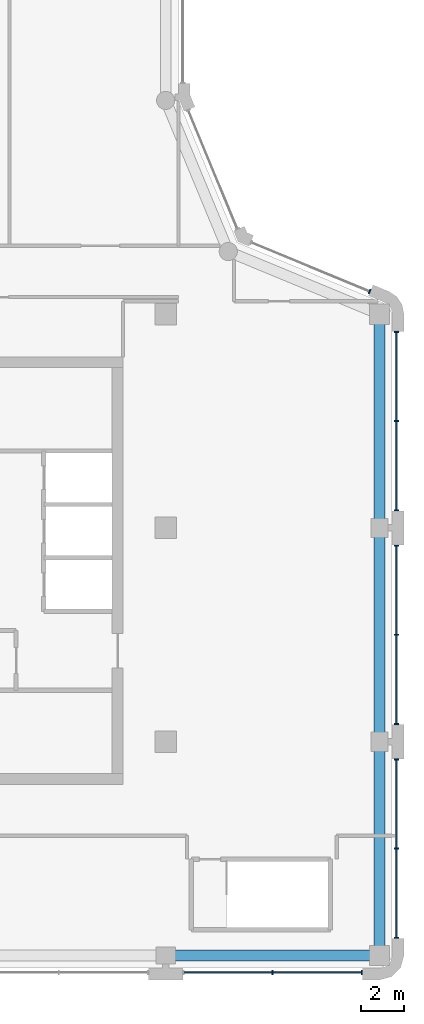
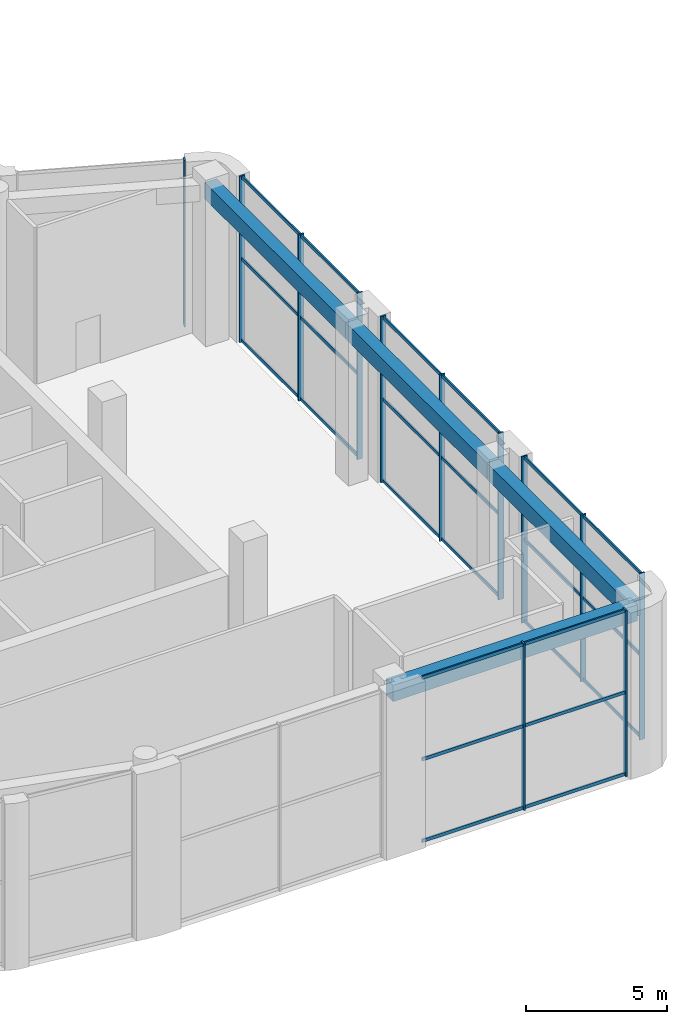
# One storey, part 4 of 14: 36 members, 4 beams, 5 elements without a shape of their own.
"""IFC4 building model written with IfcOpenShell, lengths in metres."""

from ifc_helpers import new_model, si_unit, direction, frame, origin, origin_2d, place, context, subcontext, project, spatial, rectangle, extrude, material, layer, layer_set, material_profile, profile_set, type_object, element, aggregate, save


model = new_model("IFC4")

# Units and contexts
model_context = context("Model", 3, precision=1e-05, world=origin(), true_north=direction((0.0, 1.0)))
body_context = subcontext(model_context, "Body", "Model", "MODEL_VIEW")
ifc_project = project(units=[si_unit("LENGTHUNIT", "METRE"), si_unit("AREAUNIT", "SQUARE_METRE"), si_unit("VOLUMEUNIT", "CUBIC_METRE"), si_unit("PLANEANGLEUNIT", "RADIAN"), si_unit("MASSUNIT", "GRAM", prefix="KILO")], contexts=[model_context])

# Site, building, storey
site_placement = place(None, origin())
site = spatial("IfcSite", under=ifc_project, at=site_placement, CompositionType="ELEMENT")
building_placement = place(site_placement, origin())
building = spatial("IfcBuilding", under=site, at=building_placement, Name="Qaws Garden Tower", CompositionType="ELEMENT")
storey_placement = place(building_placement, frame((0.0, 0.0, 358.199951171875)))
storey = spatial("IfcBuildingStorey", under=building, at=storey_placement, Name="L87", CompositionType="ELEMENT", Elevation=358.199951171875)

# Curtain wall, members
ifc_material_1 = material(Name="Anodised aluminium curtain wall frame", Category="aluminium")
ifc_layer = layer(ifc_material_1, 0.159912109375)
ifc_layer_set = layer_set([ifc_layer], Name="Anodised aluminium curtain wall frame")
curtain_wall_type = type_object("IfcCurtainWallType", Name="CW3 observation glazing curtain wall", PredefinedType="NOTDEFINED", material=ifc_layer_set)
placement = place(storey_placement, origin())
curtain_wall_1 = element("IfcCurtainWall", 1, at=placement, inside=storey, type_object=curtain_wall_type, Name="CW3 Observation glazing 01", PredefinedType="NOTDEFINED")
ifc_material_2 = material(Name="Anodised aluminium curtain wall frame", Category="aluminium")
ifc_material_profile_1 = material_profile(ifc_material_2, rectangle(XDim=0.219970703125, YDim=0.06005859375, at=origin_2d()), Name="AL 60x220")
ifc_profile_set_1 = profile_set([ifc_material_profile_1], Name="Anodised aluminium curtain wall frame")
member_type_1 = type_object("IfcMemberType", Name="CW3 mullion 60 x 220", PredefinedType="MULLION", material=ifc_profile_set_1)
member_1_placement = place(storey_placement, frame((35.0, -0.800048828125, 0.0), z_axis=(0.0, 0.0, 1.0), x_axis=(0.0, 1.0, 0.0)))
member_1 = element("IfcMember", 2, at=member_1_placement, type_object=member_type_1, Name="CW3 mullion 2", PredefinedType="MULLION", context=body_context, shape_type="SweptSolid", body=[
    extrude(rectangle(XDim=0.219970703125, YDim=0.06005859375, at=origin_2d()), origin(), (0.0, 0.0, 1.0), 7.199951171875),
])
member_2_placement = place(storey_placement, frame((39.169921875, -0.800048828125, 0.0), z_axis=(0.0, 0.0, 1.0), x_axis=(0.0, 1.0, 0.0)))
member_2 = element("IfcMember", 3, at=member_2_placement, type_object=member_type_1, Name="CW3 mullion 3", PredefinedType="MULLION", context=body_context, shape_type="SweptSolid", body=[
    extrude(rectangle(XDim=0.219970703125, YDim=0.06005859375, at=origin_2d()), origin(), (0.0, 0.0, 1.0), 7.199951171875),
])

curtain_wall_2 = element("IfcCurtainWall", 4, at=placement, inside=storey, type_object=curtain_wall_type, Name="CW3 Observation glazing 02", PredefinedType="NOTDEFINED")
member_3_placement = place(storey_placement, frame((40.800048828125, 0.830078125, 0.0), z_axis=(0.0, 0.0, 1.0), x_axis=(-1.0, 0.0, 0.0)))
member_3 = element("IfcMember", 5, at=member_3_placement, type_object=member_type_1, Name="CW3 mullion 1", PredefinedType="MULLION", context=body_context, shape_type="SweptSolid", body=[
    extrude(rectangle(XDim=0.219970703125, YDim=0.06005859375, at=origin_2d()), origin(), (0.0, 0.0, 1.0), 7.199951171875),
])
member_4_placement = place(storey_placement, frame((40.800048828125, 5.0, 0.0), z_axis=(0.0, 0.0, 1.0), x_axis=(-1.0, 0.0, 0.0)))
member_4 = element("IfcMember", 6, at=member_4_placement, type_object=member_type_1, Name="CW3 mullion 2", PredefinedType="MULLION", context=body_context, shape_type="SweptSolid", body=[
    extrude(rectangle(XDim=0.219970703125, YDim=0.06005859375, at=origin_2d()), origin(), (0.0, 0.0, 1.0), 7.199951171875),
])
member_5_placement = place(storey_placement, frame((40.800048828125, 9.169921875, 0.0), z_axis=(0.0, 0.0, 1.0), x_axis=(-1.0, 0.0, 0.0)))
member_5 = element("IfcMember", 7, at=member_5_placement, type_object=member_type_1, Name="CW3 mullion 3", PredefinedType="MULLION", context=body_context, shape_type="SweptSolid", body=[
    extrude(rectangle(XDim=0.219970703125, YDim=0.06005859375, at=origin_2d()), origin(), (0.0, 0.0, 1.0), 7.199951171875),
])

curtain_wall_3 = element("IfcCurtainWall", 8, at=placement, inside=storey, type_object=curtain_wall_type, Name="CW3 Observation glazing 03", PredefinedType="NOTDEFINED")
member_6_placement = place(storey_placement, frame((40.800048828125, 10.830078125, 0.0), z_axis=(0.0, 0.0, 1.0), x_axis=(-1.0, 0.0, 0.0)))
member_6 = element("IfcMember", 9, at=member_6_placement, type_object=member_type_1, Name="CW3 mullion 1", PredefinedType="MULLION", context=body_context, shape_type="SweptSolid", body=[
    extrude(rectangle(XDim=0.219970703125, YDim=0.06005859375, at=origin_2d()), origin(), (0.0, 0.0, 1.0), 7.199951171875),
])
member_7_placement = place(storey_placement, frame((40.800048828125, 15.0, 0.0), z_axis=(0.0, 0.0, 1.0), x_axis=(-1.0, 0.0, 0.0)))
member_7 = element("IfcMember", 10, at=member_7_placement, type_object=member_type_1, Name="CW3 mullion 2", PredefinedType="MULLION", context=body_context, shape_type="SweptSolid", body=[
    extrude(rectangle(XDim=0.219970703125, YDim=0.06005859375, at=origin_2d()), origin(), (0.0, 0.0, 1.0), 7.199951171875),
])
member_8_placement = place(storey_placement, frame((40.800048828125, 19.169921875, 0.0), z_axis=(0.0, 0.0, 1.0), x_axis=(-1.0, 0.0, 0.0)))
member_8 = element("IfcMember", 11, at=member_8_placement, type_object=member_type_1, Name="CW3 mullion 3", PredefinedType="MULLION", context=body_context, shape_type="SweptSolid", body=[
    extrude(rectangle(XDim=0.219970703125, YDim=0.06005859375, at=origin_2d()), origin(), (0.0, 0.0, 1.0), 7.199951171875),
])

curtain_wall_4 = element("IfcCurtainWall", 12, at=placement, inside=storey, type_object=curtain_wall_type, Name="CW3 Observation glazing 04", PredefinedType="NOTDEFINED")
member_9_placement = place(storey_placement, frame((40.800048828125, 20.830078125, 0.0), z_axis=(0.0, 0.0, 1.0), x_axis=(-1.0, 0.0, 0.0)))
member_9 = element("IfcMember", 13, at=member_9_placement, type_object=member_type_1, Name="CW3 mullion 1", PredefinedType="MULLION", context=body_context, shape_type="SweptSolid", body=[
    extrude(rectangle(XDim=0.219970703125, YDim=0.06005859375, at=origin_2d()), origin(), (0.0, 0.0, 1.0), 7.199951171875),
])
member_10_placement = place(storey_placement, frame((40.800048828125, 25.0, 0.0), z_axis=(0.0, 0.0, 1.0), x_axis=(-1.0, 0.0, 0.0)))
member_10 = element("IfcMember", 14, at=member_10_placement, type_object=member_type_1, Name="CW3 mullion 2", PredefinedType="MULLION", context=body_context, shape_type="SweptSolid", body=[
    extrude(rectangle(XDim=0.219970703125, YDim=0.06005859375, at=origin_2d()), origin(), (0.0, 0.0, 1.0), 7.199951171875),
])
member_11_placement = place(storey_placement, frame((40.800048828125, 29.169921875, 0.0), z_axis=(0.0, 0.0, 1.0), x_axis=(-1.0, 0.0, 0.0)))
member_11 = element("IfcMember", 15, at=member_11_placement, type_object=member_type_1, Name="CW3 mullion 3", PredefinedType="MULLION", context=body_context, shape_type="SweptSolid", body=[
    extrude(rectangle(XDim=0.219970703125, YDim=0.06005859375, at=origin_2d()), origin(), (0.0, 0.0, 1.0), 7.199951171875),
])

# Curtain wall, member
curtain_wall_5 = element("IfcCurtainWall", 16, at=placement, inside=storey, type_object=curtain_wall_type, Name="CW3 Observation glazing 05", PredefinedType="NOTDEFINED")
member_12_placement = place(storey_placement, frame((39.539306640625, 31.056640625, 0.0), z_axis=(0.0, 0.0, 1.0), x_axis=(-0.382683432301, -0.923879532538, 0.0)))
member_12 = element("IfcMember", 17, at=member_12_placement, type_object=member_type_1, Name="CW3 mullion 1", PredefinedType="MULLION", context=body_context, shape_type="SweptSolid", body=[
    extrude(rectangle(XDim=0.219970703125, YDim=0.06005859375, at=origin_2d()), origin(), (0.0, 0.0, 1.0), 7.199951171875),
])
aggregate(curtain_wall_5, [member_12])

# Member
ifc_material_3 = material(Name="Anodised aluminium curtain wall frame", Category="aluminium")
ifc_material_profile_2 = material_profile(ifc_material_3, rectangle(XDim=0.06005859375, YDim=0.139892578125, at=origin_2d()), Name="AL 60x140")
ifc_profile_set_2 = profile_set([ifc_material_profile_2], Name="Anodised aluminium curtain wall frame")
member_type_2 = type_object("IfcMemberType", Name="CW3 transom 140 x 60", PredefinedType="USERDEFINED", material=ifc_profile_set_2)
member_13_placement = place(storey_placement, frame((30.860107421875, -0.800048828125, 0.070068359375), z_axis=(1.0, 0.0, 0.0), x_axis=(0.0, 1.0, 0.0)))
member_13 = element("IfcMember", 18, at=member_13_placement, type_object=member_type_2, Name="CW3 transom 1.1", ObjectType="TRANSOM", PredefinedType="USERDEFINED", context=body_context, shape_type="SweptSolid", body=[
    extrude(rectangle(XDim=0.06005859375, YDim=0.139892578125, at=origin_2d()), origin(), (0.0, 0.0, 1.0), 4.10986328125),
])

member_14_placement = place(storey_placement, frame((30.860107421875, -0.800048828125, 3.60009765625), z_axis=(1.0, 0.0, 0.0), x_axis=(0.0, 1.0, 0.0)))
member_14 = element("IfcMember", 19, at=member_14_placement, type_object=member_type_2, Name="CW3 transom 1.2", ObjectType="TRANSOM", PredefinedType="USERDEFINED", context=body_context, shape_type="SweptSolid", body=[
    extrude(rectangle(XDim=0.06005859375, YDim=0.139892578125, at=origin_2d()), origin(), (0.0, 0.0, 1.0), 4.10986328125),
])

member_15_placement = place(storey_placement, frame((30.860107421875, -0.800048828125, 7.130126953125), z_axis=(1.0, 0.0, 0.0), x_axis=(0.0, 1.0, 0.0)))
member_15 = element("IfcMember", 20, at=member_15_placement, type_object=member_type_2, Name="CW3 transom 1.3", ObjectType="TRANSOM", PredefinedType="USERDEFINED", context=body_context, shape_type="SweptSolid", body=[
    extrude(rectangle(XDim=0.06005859375, YDim=0.139892578125, at=origin_2d()), origin(), (0.0, 0.0, 1.0), 4.10986328125),
])

member_16_placement = place(storey_placement, frame((35.030029296875, -0.800048828125, 0.070068359375), z_axis=(1.0, 0.0, 0.0), x_axis=(0.0, 1.0, 0.0)))
member_16 = element("IfcMember", 21, at=member_16_placement, type_object=member_type_2, Name="CW3 transom 2.1", ObjectType="TRANSOM", PredefinedType="USERDEFINED", context=body_context, shape_type="SweptSolid", body=[
    extrude(rectangle(XDim=0.06005859375, YDim=0.139892578125, at=origin_2d()), origin(), (0.0, 0.0, 1.0), 4.10986328125),
])

member_17_placement = place(storey_placement, frame((35.030029296875, -0.800048828125, 3.60009765625), z_axis=(1.0, 0.0, 0.0), x_axis=(0.0, 1.0, 0.0)))
member_17 = element("IfcMember", 22, at=member_17_placement, type_object=member_type_2, Name="CW3 transom 2.2", ObjectType="TRANSOM", PredefinedType="USERDEFINED", context=body_context, shape_type="SweptSolid", body=[
    extrude(rectangle(XDim=0.06005859375, YDim=0.139892578125, at=origin_2d()), origin(), (0.0, 0.0, 1.0), 4.10986328125),
])

member_18_placement = place(storey_placement, frame((35.030029296875, -0.800048828125, 7.130126953125), z_axis=(1.0, 0.0, 0.0), x_axis=(0.0, 1.0, 0.0)))
member_18 = element("IfcMember", 23, at=member_18_placement, type_object=member_type_2, Name="CW3 transom 2.3", ObjectType="TRANSOM", PredefinedType="USERDEFINED", context=body_context, shape_type="SweptSolid", body=[
    extrude(rectangle(XDim=0.06005859375, YDim=0.139892578125, at=origin_2d()), origin(), (0.0, 0.0, 1.0), 4.10986328125),
])

aggregate(curtain_wall_1, [member_1, member_2, member_13, member_14, member_15, member_16, member_17, member_18])

member_19_placement = place(storey_placement, frame((40.800048828125, 0.860107421875, 0.070068359375), z_axis=(0.0, 1.0, 0.0), x_axis=(-1.0, 0.0, 0.0)))
member_19 = element("IfcMember", 24, at=member_19_placement, type_object=member_type_2, Name="CW3 transom 1.1", ObjectType="TRANSOM", PredefinedType="USERDEFINED", context=body_context, shape_type="SweptSolid", body=[
    extrude(rectangle(XDim=0.06005859375, YDim=0.139892578125, at=origin_2d()), origin(), (0.0, 0.0, 1.0), 4.10986328125),
])

member_20_placement = place(storey_placement, frame((40.800048828125, 0.860107421875, 3.60009765625), z_axis=(0.0, 1.0, 0.0), x_axis=(-1.0, 0.0, 0.0)))
member_20 = element("IfcMember", 25, at=member_20_placement, type_object=member_type_2, Name="CW3 transom 1.2", ObjectType="TRANSOM", PredefinedType="USERDEFINED", context=body_context, shape_type="SweptSolid", body=[
    extrude(rectangle(XDim=0.06005859375, YDim=0.139892578125, at=origin_2d()), origin(), (0.0, 0.0, 1.0), 4.10986328125),
])

member_21_placement = place(storey_placement, frame((40.800048828125, 0.860107421875, 7.130126953125), z_axis=(0.0, 1.0, 0.0), x_axis=(-1.0, 0.0, 0.0)))
member_21 = element("IfcMember", 26, at=member_21_placement, type_object=member_type_2, Name="CW3 transom 1.3", ObjectType="TRANSOM", PredefinedType="USERDEFINED", context=body_context, shape_type="SweptSolid", body=[
    extrude(rectangle(XDim=0.06005859375, YDim=0.139892578125, at=origin_2d()), origin(), (0.0, 0.0, 1.0), 4.10986328125),
])

member_22_placement = place(storey_placement, frame((40.800048828125, 5.030029296875, 0.070068359375), z_axis=(0.0, 1.0, 0.0), x_axis=(-1.0, 0.0, 0.0)))
member_22 = element("IfcMember", 27, at=member_22_placement, type_object=member_type_2, Name="CW3 transom 2.1", ObjectType="TRANSOM", PredefinedType="USERDEFINED", context=body_context, shape_type="SweptSolid", body=[
    extrude(rectangle(XDim=0.06005859375, YDim=0.139892578125, at=origin_2d()), origin(), (0.0, 0.0, 1.0), 4.10986328125),
])

member_23_placement = place(storey_placement, frame((40.800048828125, 5.030029296875, 3.60009765625), z_axis=(0.0, 1.0, 0.0), x_axis=(-1.0, 0.0, 0.0)))
member_23 = element("IfcMember", 28, at=member_23_placement, type_object=member_type_2, Name="CW3 transom 2.2", ObjectType="TRANSOM", PredefinedType="USERDEFINED", context=body_context, shape_type="SweptSolid", body=[
    extrude(rectangle(XDim=0.06005859375, YDim=0.139892578125, at=origin_2d()), origin(), (0.0, 0.0, 1.0), 4.10986328125),
])

member_24_placement = place(storey_placement, frame((40.800048828125, 5.030029296875, 7.130126953125), z_axis=(0.0, 1.0, 0.0), x_axis=(-1.0, 0.0, 0.0)))
member_24 = element("IfcMember", 29, at=member_24_placement, type_object=member_type_2, Name="CW3 transom 2.3", ObjectType="TRANSOM", PredefinedType="USERDEFINED", context=body_context, shape_type="SweptSolid", body=[
    extrude(rectangle(XDim=0.06005859375, YDim=0.139892578125, at=origin_2d()), origin(), (0.0, 0.0, 1.0), 4.10986328125),
])

aggregate(curtain_wall_2, [member_3, member_4, member_5, member_19, member_20, member_21, member_22, member_23, member_24])

member_25_placement = place(storey_placement, frame((40.800048828125, 10.860107421875, 0.070068359375), z_axis=(0.0, 1.0, 0.0), x_axis=(-1.0, 0.0, 0.0)))
member_25 = element("IfcMember", 30, at=member_25_placement, type_object=member_type_2, Name="CW3 transom 1.1", ObjectType="TRANSOM", PredefinedType="USERDEFINED", context=body_context, shape_type="SweptSolid", body=[
    extrude(rectangle(XDim=0.06005859375, YDim=0.139892578125, at=origin_2d()), origin(), (0.0, 0.0, 1.0), 4.10986328125),
])

member_26_placement = place(storey_placement, frame((40.800048828125, 10.860107421875, 3.60009765625), z_axis=(0.0, 1.0, 0.0), x_axis=(-1.0, 0.0, 0.0)))
member_26 = element("IfcMember", 31, at=member_26_placement, type_object=member_type_2, Name="CW3 transom 1.2", ObjectType="TRANSOM", PredefinedType="USERDEFINED", context=body_context, shape_type="SweptSolid", body=[
    extrude(rectangle(XDim=0.06005859375, YDim=0.139892578125, at=origin_2d()), origin(), (0.0, 0.0, 1.0), 4.10986328125),
])

member_27_placement = place(storey_placement, frame((40.800048828125, 10.860107421875, 7.130126953125), z_axis=(0.0, 1.0, 0.0), x_axis=(-1.0, 0.0, 0.0)))
member_27 = element("IfcMember", 32, at=member_27_placement, type_object=member_type_2, Name="CW3 transom 1.3", ObjectType="TRANSOM", PredefinedType="USERDEFINED", context=body_context, shape_type="SweptSolid", body=[
    extrude(rectangle(XDim=0.06005859375, YDim=0.139892578125, at=origin_2d()), origin(), (0.0, 0.0, 1.0), 4.10986328125),
])

member_28_placement = place(storey_placement, frame((40.800048828125, 15.030029296875, 0.070068359375), z_axis=(0.0, 1.0, 0.0), x_axis=(-1.0, 0.0, 0.0)))
member_28 = element("IfcMember", 33, at=member_28_placement, type_object=member_type_2, Name="CW3 transom 2.1", ObjectType="TRANSOM", PredefinedType="USERDEFINED", context=body_context, shape_type="SweptSolid", body=[
    extrude(rectangle(XDim=0.06005859375, YDim=0.139892578125, at=origin_2d()), origin(), (0.0, 0.0, 1.0), 4.10986328125),
])

member_29_placement = place(storey_placement, frame((40.800048828125, 15.030029296875, 3.60009765625), z_axis=(0.0, 1.0, 0.0), x_axis=(-1.0, 0.0, 0.0)))
member_29 = element("IfcMember", 34, at=member_29_placement, type_object=member_type_2, Name="CW3 transom 2.2", ObjectType="TRANSOM", PredefinedType="USERDEFINED", context=body_context, shape_type="SweptSolid", body=[
    extrude(rectangle(XDim=0.06005859375, YDim=0.139892578125, at=origin_2d()), origin(), (0.0, 0.0, 1.0), 4.10986328125),
])

member_30_placement = place(storey_placement, frame((40.800048828125, 15.030029296875, 7.130126953125), z_axis=(0.0, 1.0, 0.0), x_axis=(-1.0, 0.0, 0.0)))
member_30 = element("IfcMember", 35, at=member_30_placement, type_object=member_type_2, Name="CW3 transom 2.3", ObjectType="TRANSOM", PredefinedType="USERDEFINED", context=body_context, shape_type="SweptSolid", body=[
    extrude(rectangle(XDim=0.06005859375, YDim=0.139892578125, at=origin_2d()), origin(), (0.0, 0.0, 1.0), 4.10986328125),
])

aggregate(curtain_wall_3, [member_6, member_7, member_8, member_25, member_26, member_27, member_28, member_29, member_30])

member_31_placement = place(storey_placement, frame((40.800048828125, 20.860107421875, 0.070068359375), z_axis=(0.0, 1.0, 0.0), x_axis=(-1.0, 0.0, 0.0)))
member_31 = element("IfcMember", 36, at=member_31_placement, type_object=member_type_2, Name="CW3 transom 1.1", ObjectType="TRANSOM", PredefinedType="USERDEFINED", context=body_context, shape_type="SweptSolid", body=[
    extrude(rectangle(XDim=0.06005859375, YDim=0.139892578125, at=origin_2d()), origin(), (0.0, 0.0, 1.0), 4.10986328125),
])

member_32_placement = place(storey_placement, frame((40.800048828125, 20.860107421875, 3.60009765625), z_axis=(0.0, 1.0, 0.0), x_axis=(-1.0, 0.0, 0.0)))
member_32 = element("IfcMember", 37, at=member_32_placement, type_object=member_type_2, Name="CW3 transom 1.2", ObjectType="TRANSOM", PredefinedType="USERDEFINED", context=body_context, shape_type="SweptSolid", body=[
    extrude(rectangle(XDim=0.06005859375, YDim=0.139892578125, at=origin_2d()), origin(), (0.0, 0.0, 1.0), 4.10986328125),
])

member_33_placement = place(storey_placement, frame((40.800048828125, 20.860107421875, 7.130126953125), z_axis=(0.0, 1.0, 0.0), x_axis=(-1.0, 0.0, 0.0)))
member_33 = element("IfcMember", 38, at=member_33_placement, type_object=member_type_2, Name="CW3 transom 1.3", ObjectType="TRANSOM", PredefinedType="USERDEFINED", context=body_context, shape_type="SweptSolid", body=[
    extrude(rectangle(XDim=0.06005859375, YDim=0.139892578125, at=origin_2d()), origin(), (0.0, 0.0, 1.0), 4.10986328125),
])

member_34_placement = place(storey_placement, frame((40.800048828125, 25.030029296875, 0.070068359375), z_axis=(0.0, 1.0, 0.0), x_axis=(-1.0, 0.0, 0.0)))
member_34 = element("IfcMember", 39, at=member_34_placement, type_object=member_type_2, Name="CW3 transom 2.1", ObjectType="TRANSOM", PredefinedType="USERDEFINED", context=body_context, shape_type="SweptSolid", body=[
    extrude(rectangle(XDim=0.06005859375, YDim=0.139892578125, at=origin_2d()), origin(), (0.0, 0.0, 1.0), 4.10986328125),
])

member_35_placement = place(storey_placement, frame((40.800048828125, 25.030029296875, 3.60009765625), z_axis=(0.0, 1.0, 0.0), x_axis=(-1.0, 0.0, 0.0)))
member_35 = element("IfcMember", 40, at=member_35_placement, type_object=member_type_2, Name="CW3 transom 2.2", ObjectType="TRANSOM", PredefinedType="USERDEFINED", context=body_context, shape_type="SweptSolid", body=[
    extrude(rectangle(XDim=0.06005859375, YDim=0.139892578125, at=origin_2d()), origin(), (0.0, 0.0, 1.0), 4.10986328125),
])

member_36_placement = place(storey_placement, frame((40.800048828125, 25.030029296875, 7.130126953125), z_axis=(0.0, 1.0, 0.0), x_axis=(-1.0, 0.0, 0.0)))
member_36 = element("IfcMember", 41, at=member_36_placement, type_object=member_type_2, Name="CW3 transom 2.3", ObjectType="TRANSOM", PredefinedType="USERDEFINED", context=body_context, shape_type="SweptSolid", body=[
    extrude(rectangle(XDim=0.06005859375, YDim=0.139892578125, at=origin_2d()), origin(), (0.0, 0.0, 1.0), 4.10986328125),
])

aggregate(curtain_wall_4, [member_9, member_10, member_11, member_31, member_32, member_33, member_34, member_35, member_36])

# Beams
ifc_material_4 = material(Name="Concrete C45", Category="concrete")
ifc_material_profile_3 = material_profile(ifc_material_4, rectangle(XDim=0.5, YDim=0.699951171875, at=origin_2d()), Name="RC 500x700")
ifc_profile_set_3 = profile_set([ifc_material_profile_3], Name="Concrete C45")
beam_type = type_object("IfcBeamType", Name="Spandrel beam RC 500x700 C45", PredefinedType="SPANDREL", material=ifc_profile_set_3)
for number, where, z_axis, x_axis, name in (
    (42, (30.0, 0.0, 6.400146484375), (1.0, 0.0, 0.0), (0.0, 1.0, 0.0), "Spandrel beam L87-002"),
    (43, (40.0, 0.0, 6.400146484375), (0.0, 1.0, 0.0), (-1.0, 0.0, 0.0), "Spandrel beam L87-003"),
    (44, (40.0, 10.0, 6.400146484375), (0.0, 1.0, 0.0), (-1.0, 0.0, 0.0), "Spandrel beam L87-004"),
    (45, (40.0, 20.0, 6.400146484375), (0.0, 1.0, 0.0), (-1.0, 0.0, 0.0), "Spandrel beam L87-005"),
):
    element("IfcBeam", number, at=place(storey_placement, frame(where, z_axis=z_axis, x_axis=x_axis)), inside=storey, type_object=beam_type, Name=name, PredefinedType="SPANDREL", context=body_context, shape_type="SweptSolid", body=[
        extrude(rectangle(XDim=0.5, YDim=0.699951171875, at=origin_2d()), origin(), (0.0, 0.0, 1.0), 10.0),
    ])

save(model, "model.ifc")
